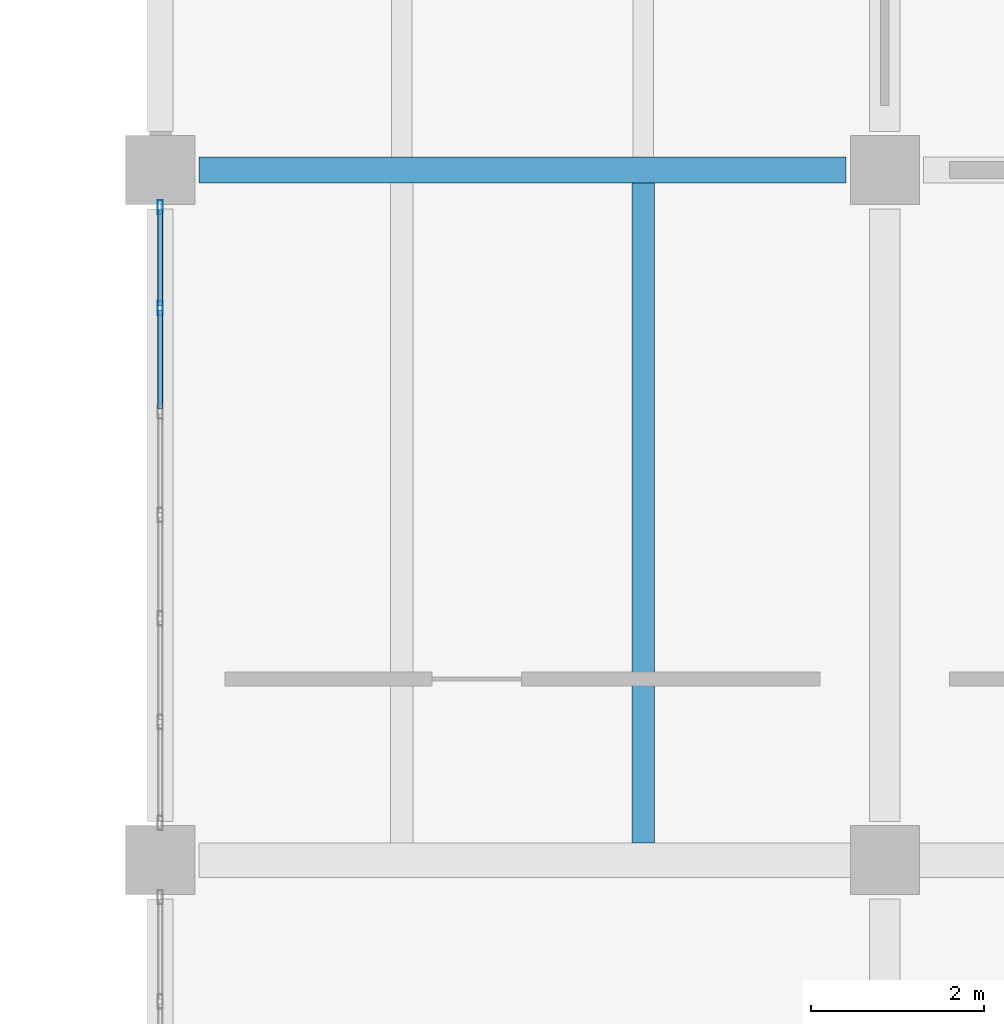
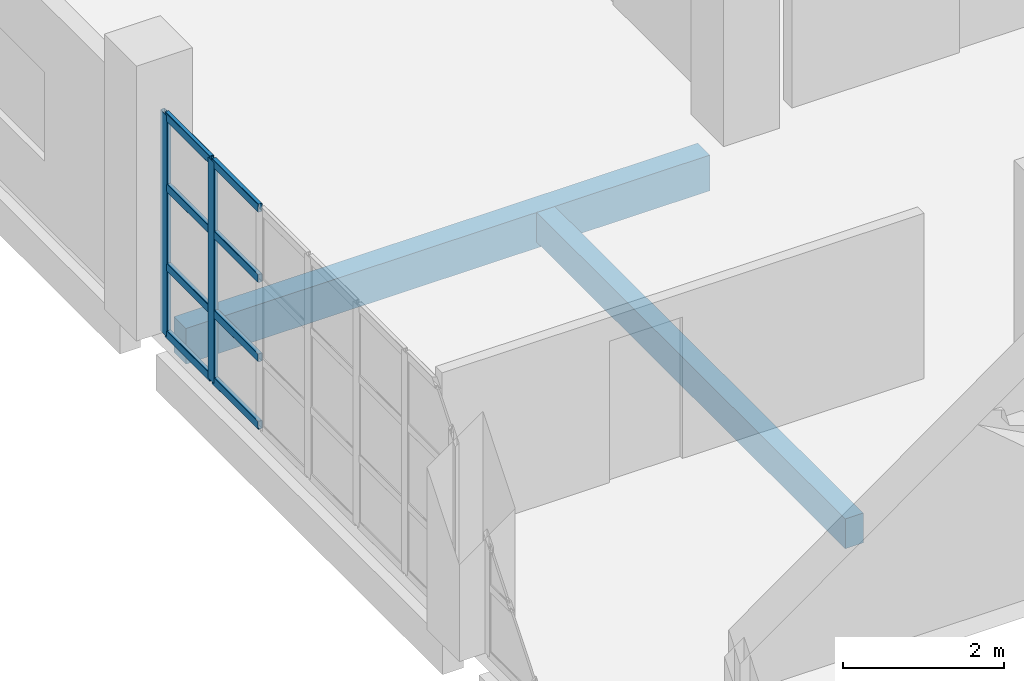
# One storey, part 21 of 177: 10 members, 2 beams, 1 element without a shape of its own.
"""IFC4 building model written with IfcOpenShell, lengths in metres."""

from ifc_helpers import new_model, si_unit, direction, frame, origin, origin_2d, place, context, subcontext, project, spatial, rectangle, hollow_rectangle, extrude, material, layer, layer_set, material_profile, profile_set, type_object, element, aggregate, save


model = new_model("IFC4")

# Units and contexts
model_context = context("Model", 3, precision=1e-05, world=origin(), true_north=direction((0.0, 1.0)))
body_context = subcontext(model_context, "Body", "Model", "MODEL_VIEW")
ifc_project = project(units=[si_unit("LENGTHUNIT", "METRE"), si_unit("AREAUNIT", "SQUARE_METRE"), si_unit("VOLUMEUNIT", "CUBIC_METRE"), si_unit("PLANEANGLEUNIT", "RADIAN"), si_unit("MASSUNIT", "GRAM", prefix="KILO"), si_unit("THERMODYNAMICTEMPERATUREUNIT", "KELVIN"), si_unit("POWERUNIT", "WATT")], contexts=[model_context])

# Site, building, storey
site_placement = place(None, origin())
site = spatial("IfcSite", under=ifc_project, at=site_placement, CompositionType="ELEMENT")
building_placement = place(site_placement, origin())
building = spatial("IfcBuilding", under=site, at=building_placement, Name="Mavoryth Pier Ferry Terminal", CompositionType="ELEMENT")
storey_placement = place(building_placement, frame((0.0, 0.0, 5.43994140625)))
storey = spatial("IfcBuildingStorey", under=building, at=storey_placement, Name="L01", CompositionType="ELEMENT", Elevation=5.43994140625)

# Beam
ifc_material_1 = material(Name="Concrete C35/45", Category="concrete")
ifc_material_profile_1 = material_profile(ifc_material_1, rectangle(XDim=0.260009765625, YDim=0.449951171875, at=origin_2d()), Name="RC 260x450", Category="concrete")
ifc_profile_set_1 = profile_set([ifc_material_profile_1], Name="Concrete C35/45 - RC 260x450")
beam_type_1 = type_object("IfcBeamType", Name="Joist-RC-260x450", PredefinedType="JOIST", material=ifc_profile_set_1)
beam_1_placement = place(storey_placement, frame((47.60009765625, 14.199951171875, -0.48486328125), z_axis=(0.0, 1.0, 0.0), x_axis=(-1.0, 0.0, 0.0)))
element("IfcBeam", 1, at=beam_1_placement, inside=storey, type_object=beam_type_1, Name="Beam B01-BJ03-0558", PredefinedType="JOIST", context=body_context, shape_type="SweptSolid", body=[
    extrude(rectangle(XDim=0.260009765625, YDim=0.449951171875, at=origin_2d()), origin(), (0.0, 0.0, 1.0), 7.650146484375),
])

# Curtain wall, members
ifc_material_2 = material(Name="Anodised Aluminium and Solar-Control Low-E Glass", Category="aluminium")
ifc_layer = layer(ifc_material_2, 0.239990234375, Name="Anodised Aluminium and Solar-Control Low-E Glass", Category="aluminium")
ifc_layer_set = layer_set([ifc_layer], Name="Anodised Aluminium and Solar-Control Low-E Glass - CW-Operations-Mod1200")
curtain_wall_type = type_object("IfcCurtainWallType", Name="CW-Operations-Mod1200", PredefinedType="USERDEFINED", material=ifc_layer_set)
curtain_wall_placement = place(storey_placement, origin())
curtain_wall = element("IfcCurtainWall", 2, at=curtain_wall_placement, inside=storey, type_object=curtain_wall_type, Name="Curtain Wall CW-0122-122", ObjectType="UNITISED CURTAIN WALL", PredefinedType="USERDEFINED")
ifc_material_3 = material(Name="Anodised Aluminium EN AW-6063", Category="aluminium")
ifc_material_profile_2 = material_profile(ifc_material_3, hollow_rectangle(XDim=0.06005859375, YDim=0.1650390625, WallThickness=0.00390625, InnerFilletRadius=0.00390625, OuterFilletRadius=0.008056640625, at=origin_2d()), Name="AL-MULL 165x60x4", Category="aluminium")
ifc_profile_set_2 = profile_set([ifc_material_profile_2], Name="Anodised Aluminium EN AW-6063 - AL-MULL 165x60x4")
member_type_1 = type_object("IfcMemberType", Name="Mullion-Alum-165x60", PredefinedType="MULLION", material=ifc_profile_set_2)
member_1_placement = place(storey_placement, frame((42.0, 21.570068359375, 0.0), z_axis=(0.0, 0.0, 1.0), x_axis=(1.0, 0.0, 0.0)))
member_1 = element("IfcMember", 3, at=member_1_placement, type_object=member_type_1, Name="CW06 mullion 1", PredefinedType="MULLION", context=body_context, shape_type="SweptSolid", body=[
    extrude(hollow_rectangle(XDim=0.06005859375, YDim=0.1650390625, WallThickness=0.00390625, InnerFilletRadius=0.00390625, OuterFilletRadius=0.008056640625, at=origin_2d()), origin(), (0.0, 0.0, 1.0), 3.344970703125),
])
member_2_placement = place(storey_placement, frame((42.0, 20.39990234375, 0.0), z_axis=(0.0, 0.0, 1.0), x_axis=(1.0, 0.0, 0.0)))
member_2 = element("IfcMember", 4, at=member_2_placement, type_object=member_type_1, Name="CW06 mullion 2", PredefinedType="MULLION", context=body_context, shape_type="SweptSolid", body=[
    extrude(hollow_rectangle(XDim=0.06005859375, YDim=0.1650390625, WallThickness=0.00390625, InnerFilletRadius=0.00390625, OuterFilletRadius=0.008056640625, at=origin_2d()), origin(), (0.0, 0.0, 1.0), 3.344970703125),
])

# Beam
ifc_material_profile_3 = material_profile(ifc_material_1, rectangle(XDim=0.300048828125, YDim=0.5400390625, at=origin_2d()), Name="RC 300x540", Category="concrete")
ifc_profile_set_3 = profile_set([ifc_material_profile_3], Name="Concrete C35/45 - RC 300x540")
beam_type_2 = type_object("IfcBeamType", Name="Spandrel-RC-300x540", PredefinedType="SPANDREL", material=ifc_profile_set_3)
beam_2_placement = place(storey_placement, frame((42.449951171875, 22.0, -0.530029296875), z_axis=(1.0, 0.0, 0.0), x_axis=(0.0, 1.0, 0.0)))
element("IfcBeam", 5, at=beam_2_placement, inside=storey, type_object=beam_type_2, Name="Beam B01-SP02-0528", PredefinedType="SPANDREL", context=body_context, shape_type="SweptSolid", body=[
    extrude(rectangle(XDim=0.300048828125, YDim=0.5400390625, at=origin_2d()), origin(), (0.0, 0.0, 1.0), 7.5),
])

# Member
ifc_material_profile_4 = material_profile(ifc_material_3, hollow_rectangle(XDim=0.06005859375, YDim=0.125, WallThickness=0.00390625, InnerFilletRadius=0.00390625, OuterFilletRadius=0.008056640625, at=origin_2d()), Name="AL-TRAN 125x60x4", Category="aluminium")
ifc_profile_set_4 = profile_set([ifc_material_profile_4], Name="Anodised Aluminium EN AW-6063 - AL-TRAN 125x60x4")
member_type_2 = type_object("IfcMemberType", Name="Transom-Alum-125x60", PredefinedType="USERDEFINED", material=ifc_profile_set_4)
member_3_placement = place(storey_placement, frame((42.0, 21.5400390625, 0.030029296875), z_axis=(0.0, -1.0, 0.0), x_axis=(1.0, 0.0, 0.0)))
member_3 = element("IfcMember", 6, at=member_3_placement, type_object=member_type_2, Name="CW06 transom 1.1", ObjectType="TRANSOM", PredefinedType="USERDEFINED", context=body_context, shape_type="SweptSolid", body=[
    extrude(hollow_rectangle(XDim=0.06005859375, YDim=0.125, WallThickness=0.00390625, InnerFilletRadius=0.00390625, OuterFilletRadius=0.008056640625, at=origin_2d()), origin(), (0.0, 0.0, 1.0), 1.110107421875),
])

member_4_placement = place(storey_placement, frame((42.0, 21.5400390625, 1.050048828125), z_axis=(0.0, -1.0, 0.0), x_axis=(1.0, 0.0, 0.0)))
member_4 = element("IfcMember", 7, at=member_4_placement, type_object=member_type_2, Name="CW06 transom 1.2", ObjectType="TRANSOM", PredefinedType="USERDEFINED", context=body_context, shape_type="SweptSolid", body=[
    extrude(hollow_rectangle(XDim=0.06005859375, YDim=0.125, WallThickness=0.00390625, InnerFilletRadius=0.00390625, OuterFilletRadius=0.008056640625, at=origin_2d()), origin(), (0.0, 0.0, 1.0), 1.110107421875),
])

member_5_placement = place(storey_placement, frame((42.0, 21.5400390625, 2.25), z_axis=(0.0, -1.0, 0.0), x_axis=(1.0, 0.0, 0.0)))
member_5 = element("IfcMember", 8, at=member_5_placement, type_object=member_type_2, Name="CW06 transom 1.3", ObjectType="TRANSOM", PredefinedType="USERDEFINED", context=body_context, shape_type="SweptSolid", body=[
    extrude(hollow_rectangle(XDim=0.06005859375, YDim=0.125, WallThickness=0.00390625, InnerFilletRadius=0.00390625, OuterFilletRadius=0.008056640625, at=origin_2d()), origin(), (0.0, 0.0, 1.0), 1.110107421875),
])

member_6_placement = place(storey_placement, frame((42.0, 21.5400390625, 3.31494140625), z_axis=(0.0, -1.0, 0.0), x_axis=(1.0, 0.0, 0.0)))
member_6 = element("IfcMember", 9, at=member_6_placement, type_object=member_type_2, Name="CW06 transom 1.4", ObjectType="TRANSOM", PredefinedType="USERDEFINED", context=body_context, shape_type="SweptSolid", body=[
    extrude(hollow_rectangle(XDim=0.06005859375, YDim=0.125, WallThickness=0.00390625, InnerFilletRadius=0.00390625, OuterFilletRadius=0.008056640625, at=origin_2d()), origin(), (0.0, 0.0, 1.0), 1.110107421875),
])

member_7_placement = place(storey_placement, frame((42.0, 20.3701171875, 0.030029296875), z_axis=(0.0, -1.0, 0.0), x_axis=(1.0, 0.0, 0.0)))
member_7 = element("IfcMember", 10, at=member_7_placement, type_object=member_type_2, Name="CW06 transom 2.1", ObjectType="TRANSOM", PredefinedType="USERDEFINED", context=body_context, shape_type="SweptSolid", body=[
    extrude(hollow_rectangle(XDim=0.06005859375, YDim=0.125, WallThickness=0.00390625, InnerFilletRadius=0.00390625, OuterFilletRadius=0.008056640625, at=origin_2d()), origin(), (0.0, 0.0, 1.0), 1.14013671875),
])

member_8_placement = place(storey_placement, frame((42.0, 20.3701171875, 1.050048828125), z_axis=(0.0, -1.0, 0.0), x_axis=(1.0, 0.0, 0.0)))
member_8 = element("IfcMember", 11, at=member_8_placement, type_object=member_type_2, Name="CW06 transom 2.2", ObjectType="TRANSOM", PredefinedType="USERDEFINED", context=body_context, shape_type="SweptSolid", body=[
    extrude(hollow_rectangle(XDim=0.06005859375, YDim=0.125, WallThickness=0.00390625, InnerFilletRadius=0.00390625, OuterFilletRadius=0.008056640625, at=origin_2d()), origin(), (0.0, 0.0, 1.0), 1.14013671875),
])

member_9_placement = place(storey_placement, frame((42.0, 20.3701171875, 2.25), z_axis=(0.0, -1.0, 0.0), x_axis=(1.0, 0.0, 0.0)))
member_9 = element("IfcMember", 12, at=member_9_placement, type_object=member_type_2, Name="CW06 transom 2.3", ObjectType="TRANSOM", PredefinedType="USERDEFINED", context=body_context, shape_type="SweptSolid", body=[
    extrude(hollow_rectangle(XDim=0.06005859375, YDim=0.125, WallThickness=0.00390625, InnerFilletRadius=0.00390625, OuterFilletRadius=0.008056640625, at=origin_2d()), origin(), (0.0, 0.0, 1.0), 1.14013671875),
])

member_10_placement = place(storey_placement, frame((42.0, 20.3701171875, 3.31494140625), z_axis=(0.0, -1.0, 0.0), x_axis=(1.0, 0.0, 0.0)))
member_10 = element("IfcMember", 13, at=member_10_placement, type_object=member_type_2, Name="CW06 transom 2.4", ObjectType="TRANSOM", PredefinedType="USERDEFINED", context=body_context, shape_type="SweptSolid", body=[
    extrude(hollow_rectangle(XDim=0.06005859375, YDim=0.125, WallThickness=0.00390625, InnerFilletRadius=0.00390625, OuterFilletRadius=0.008056640625, at=origin_2d()), origin(), (0.0, 0.0, 1.0), 1.14013671875),
])

aggregate(curtain_wall, [member_1, member_2, member_3, member_4, member_5, member_6, member_7, member_8, member_9, member_10])

save(model, "model.ifc")
